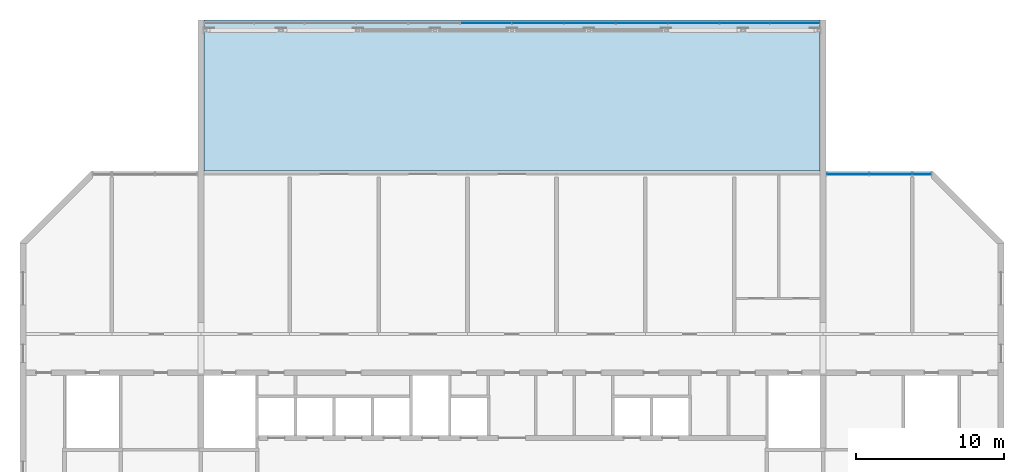
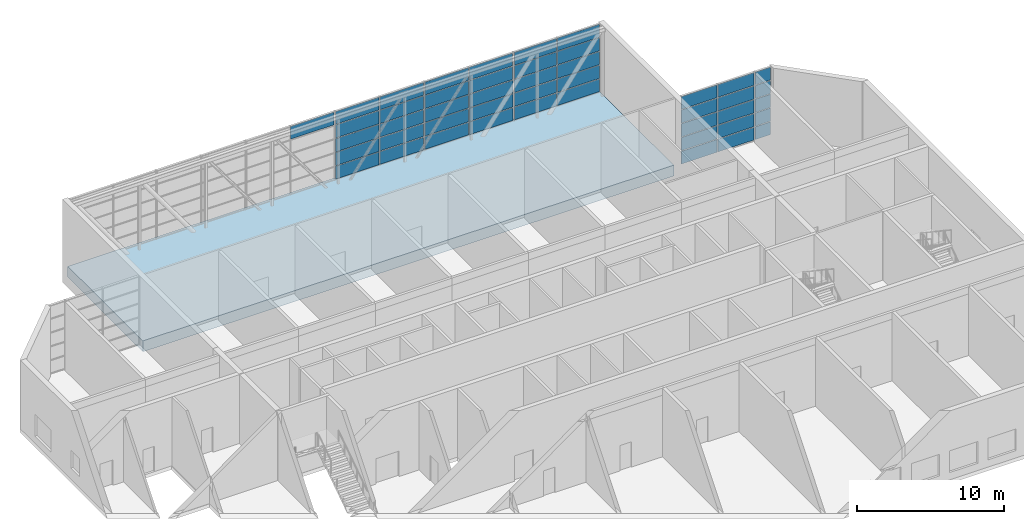
# One storey, part 7 of 17: 46 plates, 1 slab, 6 elements without a shape of their own.
"""IFC4 building model written with IfcOpenShell, lengths in metres."""

from ifc_helpers import new_model, si_unit, direction, frame, origin, origin_2d, place, context, subcontext, project, spatial, polyline, rectangle, outline, extrude, source, transform, mapped, material, layer, layer_set, type_object, element, aggregate, save


model = new_model("IFC4")

# Units and contexts
model_context = context("Model", 3, precision=1e-05, world=origin(), true_north=direction((0.0, 1.0)))
body_context = subcontext(model_context, "Body", "Model", "MODEL_VIEW")
ifc_project = project(units=[si_unit("LENGTHUNIT", "METRE"), si_unit("AREAUNIT", "SQUARE_METRE"), si_unit("VOLUMEUNIT", "CUBIC_METRE"), si_unit("PLANEANGLEUNIT", "RADIAN"), si_unit("MASSUNIT", "GRAM", prefix="KILO")], contexts=[model_context])

# Site, building, storey
site_placement = place(None, origin())
site = spatial("IfcSite", under=ifc_project, at=site_placement, CompositionType="ELEMENT")
building_placement = place(site_placement, origin())
building = spatial("IfcBuilding", under=site, at=building_placement, Name="Poui Terraces", CompositionType="ELEMENT")
storey_placement = place(building_placement, frame((0.0, 0.0, 261.0)))
storey = spatial("IfcBuildingStorey", under=building, at=storey_placement, Name="L73", CompositionType="ELEMENT", Elevation=261.0)

# Curtain wall, plates
ifc_material_1 = material(Name="Clear glass", Category="glass")
ifc_layer_1 = layer(ifc_material_1, 0.219970703125)
ifc_layer_set_1 = layer_set([ifc_layer_1], Name="Clear glass")
curtain_wall_type = type_object("IfcCurtainWallType", Name="CURTAIN WALL CW-E SKY LOUNGE GLAZING", PredefinedType="NOTDEFINED", material=ifc_layer_set_1)
curtain_wall_1_placement = place(storey_placement, origin())
curtain_wall_1 = element("IfcCurtainWall", 1, at=curtain_wall_1_placement, inside=storey, type_object=curtain_wall_type, Name="CW-E SKY LOUNGE GLAZING", PredefinedType="NOTDEFINED")
ifc_layer_2 = layer(ifc_material_1, 0.035888671875)
ifc_layer_set_2 = layer_set([ifc_layer_2], Name="Clear glass")
plate_type_1 = type_object("IfcPlateType", Name="CW-E GLASS PANEL 36", PredefinedType="CURTAIN_PANEL", material=ifc_layer_set_2)
plate_1_placement = place(storey_placement, frame((76.534912109375, 41.199951171875, 0.06005859375), z_axis=(0.0, 0.0, 1.0), x_axis=(-1.0, 0.0, 0.0)))
plate_1 = element("IfcPlate", 2, at=plate_1_placement, type_object=plate_type_1, Name="CW-E panel 1.1", PredefinedType="CURTAIN_PANEL", context=body_context, shape_type="SweptSolid", body=[
    extrude(rectangle(XDim=2.81005859375, YDim=0.035888671875, at=origin_2d()), origin(), (0.0, 0.0, 1.0), 1.050048828125),
])
plate_2_placement = place(storey_placement, frame((76.534912109375, 41.199951171875, 1.169921875), z_axis=(0.0, 0.0, 1.0), x_axis=(-1.0, 0.0, 0.0)))
plate_2 = element("IfcPlate", 3, at=plate_2_placement, type_object=plate_type_1, Name="CW-E panel 1.2", PredefinedType="CURTAIN_PANEL", context=body_context, shape_type="SweptSolid", body=[
    extrude(rectangle(XDim=2.81005859375, YDim=0.035888671875, at=origin_2d()), origin(), (0.0, 0.0, 1.0), 1.080078125),
])
plate_3_placement = place(storey_placement, frame((76.534912109375, 41.199951171875, 2.31005859375), z_axis=(0.0, 0.0, 1.0), x_axis=(-1.0, 0.0, 0.0)))
plate_3 = element("IfcPlate", 4, at=plate_3_placement, type_object=plate_type_1, Name="CW-E panel 1.3", PredefinedType="CURTAIN_PANEL", context=body_context, shape_type="SweptSolid", body=[
    extrude(rectangle(XDim=2.81005859375, YDim=0.035888671875, at=origin_2d()), origin(), (0.0, 0.0, 1.0), 1.080078125),
])
plate_4_placement = place(storey_placement, frame((76.534912109375, 41.199951171875, 3.449951171875), z_axis=(0.0, 0.0, 1.0), x_axis=(-1.0, 0.0, 0.0)))
plate_4 = element("IfcPlate", 5, at=plate_4_placement, type_object=plate_type_1, Name="CW-E panel 1.4", PredefinedType="CURTAIN_PANEL", context=body_context, shape_type="SweptSolid", body=[
    extrude(rectangle(XDim=2.81005859375, YDim=0.035888671875, at=origin_2d()), origin(), (0.0, 0.0, 1.0), 1.080078125),
])
plate_5_placement = place(storey_placement, frame((76.534912109375, 41.199951171875, 4.58984375), z_axis=(0.0, 0.0, 1.0), x_axis=(-1.0, 0.0, 0.0)))
plate_5 = element("IfcPlate", 6, at=plate_5_placement, type_object=plate_type_1, Name="CW-E panel 1.5", PredefinedType="CURTAIN_PANEL", context=body_context, shape_type="SweptSolid", body=[
    extrude(rectangle(XDim=2.81005859375, YDim=0.035888671875, at=origin_2d()), origin(), (0.0, 0.0, 1.0), 1.050048828125),
])
plate_6_placement = place(storey_placement, frame((73.6650390625, 41.199951171875, 0.06005859375), z_axis=(0.0, 0.0, 1.0), x_axis=(-1.0, 0.0, 0.0)))
plate_6 = element("IfcPlate", 7, at=plate_6_placement, type_object=plate_type_1, Name="CW-E panel 2.1", PredefinedType="CURTAIN_PANEL", context=body_context, shape_type="SweptSolid", body=[
    extrude(rectangle(XDim=2.81005859375, YDim=0.035888671875, at=origin_2d()), origin(), (0.0, 0.0, 1.0), 1.050048828125),
])
plate_7_placement = place(storey_placement, frame((73.6650390625, 41.199951171875, 1.169921875), z_axis=(0.0, 0.0, 1.0), x_axis=(-1.0, 0.0, 0.0)))
plate_7 = element("IfcPlate", 8, at=plate_7_placement, type_object=plate_type_1, Name="CW-E panel 2.2", PredefinedType="CURTAIN_PANEL", context=body_context, shape_type="SweptSolid", body=[
    extrude(rectangle(XDim=2.81005859375, YDim=0.035888671875, at=origin_2d()), origin(), (0.0, 0.0, 1.0), 1.080078125),
])
plate_8_placement = place(storey_placement, frame((73.6650390625, 41.199951171875, 2.31005859375), z_axis=(0.0, 0.0, 1.0), x_axis=(-1.0, 0.0, 0.0)))
plate_8 = element("IfcPlate", 9, at=plate_8_placement, type_object=plate_type_1, Name="CW-E panel 2.3", PredefinedType="CURTAIN_PANEL", context=body_context, shape_type="SweptSolid", body=[
    extrude(rectangle(XDim=2.81005859375, YDim=0.035888671875, at=origin_2d()), origin(), (0.0, 0.0, 1.0), 1.080078125),
])
plate_9_placement = place(storey_placement, frame((73.6650390625, 41.199951171875, 3.449951171875), z_axis=(0.0, 0.0, 1.0), x_axis=(-1.0, 0.0, 0.0)))
plate_9 = element("IfcPlate", 10, at=plate_9_placement, type_object=plate_type_1, Name="CW-E panel 2.4", PredefinedType="CURTAIN_PANEL", context=body_context, shape_type="SweptSolid", body=[
    extrude(rectangle(XDim=2.81005859375, YDim=0.035888671875, at=origin_2d()), origin(), (0.0, 0.0, 1.0), 1.080078125),
])
plate_10_placement = place(storey_placement, frame((73.6650390625, 41.199951171875, 4.58984375), z_axis=(0.0, 0.0, 1.0), x_axis=(-1.0, 0.0, 0.0)))
plate_10 = element("IfcPlate", 11, at=plate_10_placement, type_object=plate_type_1, Name="CW-E panel 2.5", PredefinedType="CURTAIN_PANEL", context=body_context, shape_type="SweptSolid", body=[
    extrude(rectangle(XDim=2.81005859375, YDim=0.035888671875, at=origin_2d()), origin(), (0.0, 0.0, 1.0), 1.050048828125),
])
aggregate(curtain_wall_1, [plate_1, plate_2, plate_3, plate_4, plate_5, plate_6, plate_7, plate_8, plate_9, plate_10])

curtain_wall_2_placement = place(storey_placement, origin())
curtain_wall_2 = element("IfcCurtainWall", 12, at=curtain_wall_2_placement, inside=storey, type_object=curtain_wall_type, Name="CW-E SKY LOUNGE GLAZING", PredefinedType="NOTDEFINED")
plate_11_placement = place(storey_placement, frame((78.65869140625, 41.199951171875, 0.06005859375), z_axis=(0.0, 0.0, 1.0), x_axis=(-1.0, 0.0, 0.0)))
plate_11 = element("IfcPlate", 13, at=plate_11_placement, type_object=plate_type_1, Name="CW-E panel 1.1", PredefinedType="CURTAIN_PANEL", context=body_context, shape_type="SweptSolid", body=[
    extrude(rectangle(XDim=1.197265625, YDim=0.035888671875, at=origin_2d()), origin(), (0.0, 0.0, 1.0), 1.050048828125),
])
plate_12_placement = place(storey_placement, frame((78.65869140625, 41.199951171875, 1.169921875), z_axis=(0.0, 0.0, 1.0), x_axis=(-1.0, 0.0, 0.0)))
plate_12 = element("IfcPlate", 14, at=plate_12_placement, type_object=plate_type_1, Name="CW-E panel 1.2", PredefinedType="CURTAIN_PANEL", context=body_context, shape_type="SweptSolid", body=[
    extrude(rectangle(XDim=1.197265625, YDim=0.035888671875, at=origin_2d()), origin(), (0.0, 0.0, 1.0), 1.080078125),
])
plate_13_placement = place(storey_placement, frame((78.65869140625, 41.199951171875, 2.31005859375), z_axis=(0.0, 0.0, 1.0), x_axis=(-1.0, 0.0, 0.0)))
plate_13 = element("IfcPlate", 15, at=plate_13_placement, type_object=plate_type_1, Name="CW-E panel 1.3", PredefinedType="CURTAIN_PANEL", context=body_context, shape_type="SweptSolid", body=[
    extrude(rectangle(XDim=1.197265625, YDim=0.035888671875, at=origin_2d()), origin(), (0.0, 0.0, 1.0), 1.080078125),
])
plate_14_placement = place(storey_placement, frame((78.65869140625, 41.199951171875, 3.449951171875), z_axis=(0.0, 0.0, 1.0), x_axis=(-1.0, 0.0, 0.0)))
plate_14 = element("IfcPlate", 16, at=plate_14_placement, type_object=plate_type_1, Name="CW-E panel 1.4", PredefinedType="CURTAIN_PANEL", context=body_context, shape_type="SweptSolid", body=[
    extrude(rectangle(XDim=1.197265625, YDim=0.035888671875, at=origin_2d()), origin(), (0.0, 0.0, 1.0), 1.080078125),
])
plate_15_placement = place(storey_placement, frame((78.65869140625, 41.199951171875, 4.58984375), z_axis=(0.0, 0.0, 1.0), x_axis=(-1.0, 0.0, 0.0)))
plate_15 = element("IfcPlate", 17, at=plate_15_placement, type_object=plate_type_1, Name="CW-E panel 1.5", PredefinedType="CURTAIN_PANEL", context=body_context, shape_type="SweptSolid", body=[
    extrude(rectangle(XDim=1.197265625, YDim=0.035888671875, at=origin_2d()), origin(), (0.0, 0.0, 1.0), 1.050048828125),
])
aggregate(curtain_wall_2, [plate_11, plate_12, plate_13, plate_14, plate_15])

# Curtain wall, plate
curtain_wall_3_placement = place(storey_placement, origin())
curtain_wall_3 = element("IfcCurtainWall", 18, at=curtain_wall_3_placement, inside=storey, type_object=curtain_wall_type, Name="CW-E SKY LOUNGE GLAZING", PredefinedType="NOTDEFINED")
plate_16_placement = place(storey_placement, frame((49.235107421875, 51.39990234375, 4.58984375), z_axis=(0.0, 0.0, 1.0), x_axis=(1.0, 0.0, 0.0)))
plate_16 = element("IfcPlate", 19, at=plate_16_placement, type_object=plate_type_1, Name="CW-E panel 2.5", PredefinedType="CURTAIN_PANEL", context=body_context, shape_type="SweptSolid", body=[
    extrude(rectangle(XDim=3.409912109375, YDim=0.035888671875, at=origin_2d()), origin(), (0.0, 0.0, 1.0), 1.050048828125),
])
aggregate(curtain_wall_3, [plate_16])

# Curtain wall, plates
curtain_wall_4_placement = place(storey_placement, origin())
curtain_wall_4 = element("IfcCurtainWall", 20, at=curtain_wall_4_placement, inside=storey, type_object=curtain_wall_type, Name="CW-E SKY LOUNGE GLAZING", PredefinedType="NOTDEFINED")
plate_17_placement = place(storey_placement, frame((52.764892578125, 51.39990234375, 3.449951171875), z_axis=(0.0, 0.0, 1.0), x_axis=(1.0, 0.0, 0.0)))
plate_17 = element("IfcPlate", 21, at=plate_17_placement, type_object=plate_type_1, Name="CW-E panel 1.4", PredefinedType="CURTAIN_PANEL", context=body_context, shape_type="SweptSolid", body=[
    extrude(rectangle(XDim=3.409912109375, YDim=0.035888671875, at=origin_2d()), origin(), (0.0, 0.0, 1.0), 1.080078125),
])
plate_18_placement = place(storey_placement, frame((52.764892578125, 51.39990234375, 4.58984375), z_axis=(0.0, 0.0, 1.0), x_axis=(1.0, 0.0, 0.0)))
plate_18 = element("IfcPlate", 22, at=plate_18_placement, type_object=plate_type_1, Name="CW-E panel 1.5", PredefinedType="CURTAIN_PANEL", context=body_context, shape_type="SweptSolid", body=[
    extrude(rectangle(XDim=3.409912109375, YDim=0.035888671875, at=origin_2d()), origin(), (0.0, 0.0, 1.0), 1.050048828125),
])
plate_19_placement = place(storey_placement, frame((56.235107421875, 51.39990234375, 1.169921875), z_axis=(0.0, 0.0, 1.0), x_axis=(1.0, 0.0, 0.0)))
plate_19 = element("IfcPlate", 23, at=plate_19_placement, type_object=plate_type_1, Name="CW-E panel 2.2", PredefinedType="CURTAIN_PANEL", context=body_context, shape_type="SweptSolid", body=[
    extrude(rectangle(XDim=3.409912109375, YDim=0.035888671875, at=origin_2d()), origin(), (0.0, 0.0, 1.0), 1.080078125),
])
plate_20_placement = place(storey_placement, frame((56.235107421875, 51.39990234375, 2.31005859375), z_axis=(0.0, 0.0, 1.0), x_axis=(1.0, 0.0, 0.0)))
plate_20 = element("IfcPlate", 24, at=plate_20_placement, type_object=plate_type_1, Name="CW-E panel 2.3", PredefinedType="CURTAIN_PANEL", context=body_context, shape_type="SweptSolid", body=[
    extrude(rectangle(XDim=3.409912109375, YDim=0.035888671875, at=origin_2d()), origin(), (0.0, 0.0, 1.0), 1.080078125),
])

curtain_wall_5_placement = place(storey_placement, origin())
curtain_wall_5 = element("IfcCurtainWall", 25, at=curtain_wall_5_placement, inside=storey, type_object=curtain_wall_type, Name="CW-E SKY LOUNGE GLAZING", PredefinedType="NOTDEFINED")
plate_21_placement = place(storey_placement, frame((59.764892578125, 51.39990234375, 0.06005859375), z_axis=(0.0, 0.0, 1.0), x_axis=(1.0, 0.0, 0.0)))
plate_21 = element("IfcPlate", 26, at=plate_21_placement, type_object=plate_type_1, Name="CW-E panel 1.1", PredefinedType="CURTAIN_PANEL", context=body_context, shape_type="SweptSolid", body=[
    extrude(rectangle(XDim=3.409912109375, YDim=0.035888671875, at=origin_2d()), origin(), (0.0, 0.0, 1.0), 1.050048828125),
])
plate_22_placement = place(storey_placement, frame((63.235107421875, 51.39990234375, 3.449951171875), z_axis=(0.0, 0.0, 1.0), x_axis=(1.0, 0.0, 0.0)))
plate_22 = element("IfcPlate", 27, at=plate_22_placement, type_object=plate_type_1, Name="CW-E panel 2.4", PredefinedType="CURTAIN_PANEL", context=body_context, shape_type="SweptSolid", body=[
    extrude(rectangle(XDim=3.409912109375, YDim=0.035888671875, at=origin_2d()), origin(), (0.0, 0.0, 1.0), 1.080078125),
])
plate_23_placement = place(storey_placement, frame((63.235107421875, 51.39990234375, 4.58984375), z_axis=(0.0, 0.0, 1.0), x_axis=(1.0, 0.0, 0.0)))
plate_23 = element("IfcPlate", 28, at=plate_23_placement, type_object=plate_type_1, Name="CW-E panel 2.5", PredefinedType="CURTAIN_PANEL", context=body_context, shape_type="SweptSolid", body=[
    extrude(rectangle(XDim=3.409912109375, YDim=0.035888671875, at=origin_2d()), origin(), (0.0, 0.0, 1.0), 1.050048828125),
])

curtain_wall_6_placement = place(storey_placement, origin())
curtain_wall_6 = element("IfcCurtainWall", 29, at=curtain_wall_6_placement, inside=storey, type_object=curtain_wall_type, Name="CW-E SKY LOUNGE GLAZING", PredefinedType="NOTDEFINED")
plate_24_placement = place(storey_placement, frame((66.715087890625, 51.39990234375, 1.169921875), z_axis=(0.0, 0.0, 1.0), x_axis=(1.0, 0.0, 0.0)))
plate_24 = element("IfcPlate", 30, at=plate_24_placement, type_object=plate_type_1, Name="CW-E panel 1.2", PredefinedType="CURTAIN_PANEL", context=body_context, shape_type="SweptSolid", body=[
    extrude(rectangle(XDim=3.31005859375, YDim=0.035888671875, at=origin_2d()), origin(), (0.0, 0.0, 1.0), 1.080078125),
])
plate_25_placement = place(storey_placement, frame((66.715087890625, 51.39990234375, 2.31005859375), z_axis=(0.0, 0.0, 1.0), x_axis=(1.0, 0.0, 0.0)))
plate_25 = element("IfcPlate", 31, at=plate_25_placement, type_object=plate_type_1, Name="CW-E panel 1.3", PredefinedType="CURTAIN_PANEL", context=body_context, shape_type="SweptSolid", body=[
    extrude(rectangle(XDim=3.31005859375, YDim=0.035888671875, at=origin_2d()), origin(), (0.0, 0.0, 1.0), 1.080078125),
])
plate_26_placement = place(storey_placement, frame((70.0849609375, 51.39990234375, 0.06005859375), z_axis=(0.0, 0.0, 1.0), x_axis=(1.0, 0.0, 0.0)))
plate_26 = element("IfcPlate", 32, at=plate_26_placement, type_object=plate_type_1, Name="CW-E panel 2.1", PredefinedType="CURTAIN_PANEL", context=body_context, shape_type="SweptSolid", body=[
    extrude(rectangle(XDim=3.31005859375, YDim=0.035888671875, at=origin_2d()), origin(), (0.0, 0.0, 1.0), 1.050048828125),
])

# Plate
ifc_material_2 = material(Name="Insulated aluminium panel", Category="aluminium")
ifc_layer_3 = layer(ifc_material_2, 0.06005859375)
ifc_layer_set_3 = layer_set([ifc_layer_3], Name="Insulated aluminium panel")
plate_type_2 = type_object("IfcPlateType", Name="CW-E INSULATED PANEL 60", PredefinedType="CURTAIN_PANEL", material=ifc_layer_set_3)
plate_27_placement = place(storey_placement, frame((52.764892578125, 51.39990234375, 0.06005859375), z_axis=(0.0, 0.0, 1.0), x_axis=(1.0, 0.0, 0.0)))
plate_27 = element("IfcPlate", 33, at=plate_27_placement, type_object=plate_type_2, Name="CW-E insulated panel 1.1", PredefinedType="CURTAIN_PANEL", context=body_context, shape_type="SweptSolid", body=[
    extrude(rectangle(XDim=3.409912109375, YDim=0.06005859375, at=origin_2d()), origin(), (0.0, 0.0, 1.0), 1.050048828125),
])

plate_28_placement = place(storey_placement, frame((52.764892578125, 51.39990234375, 1.169921875), z_axis=(0.0, 0.0, 1.0), x_axis=(1.0, 0.0, 0.0)))
plate_28 = element("IfcPlate", 34, at=plate_28_placement, type_object=plate_type_2, Name="CW-E insulated panel 1.2", PredefinedType="CURTAIN_PANEL", context=body_context, shape_type="SweptSolid", body=[
    extrude(rectangle(XDim=3.409912109375, YDim=0.06005859375, at=origin_2d()), origin(), (0.0, 0.0, 1.0), 1.080078125),
])

plate_29_placement = place(storey_placement, frame((52.764892578125, 51.39990234375, 2.31005859375), z_axis=(0.0, 0.0, 1.0), x_axis=(1.0, 0.0, 0.0)))
plate_29 = element("IfcPlate", 35, at=plate_29_placement, type_object=plate_type_2, Name="CW-E insulated panel 1.3", PredefinedType="CURTAIN_PANEL", context=body_context, shape_type="SweptSolid", body=[
    extrude(rectangle(XDim=3.409912109375, YDim=0.06005859375, at=origin_2d()), origin(), (0.0, 0.0, 1.0), 1.080078125),
])

plate_30_placement = place(storey_placement, frame((56.235107421875, 51.39990234375, 0.06005859375), z_axis=(0.0, 0.0, 1.0), x_axis=(1.0, 0.0, 0.0)))
plate_30 = element("IfcPlate", 36, at=plate_30_placement, type_object=plate_type_2, Name="CW-E insulated panel 2.1", PredefinedType="CURTAIN_PANEL", context=body_context, shape_type="SweptSolid", body=[
    extrude(rectangle(XDim=3.409912109375, YDim=0.06005859375, at=origin_2d()), origin(), (0.0, 0.0, 1.0), 1.050048828125),
])

plate_31_placement = place(storey_placement, frame((56.235107421875, 51.39990234375, 3.449951171875), z_axis=(0.0, 0.0, 1.0), x_axis=(1.0, 0.0, 0.0)))
plate_31 = element("IfcPlate", 37, at=plate_31_placement, type_object=plate_type_2, Name="CW-E insulated panel 2.4", PredefinedType="CURTAIN_PANEL", context=body_context, shape_type="SweptSolid", body=[
    extrude(rectangle(XDim=3.409912109375, YDim=0.06005859375, at=origin_2d()), origin(), (0.0, 0.0, 1.0), 1.080078125),
])

plate_32_placement = place(storey_placement, frame((56.235107421875, 51.39990234375, 4.58984375), z_axis=(0.0, 0.0, 1.0), x_axis=(1.0, 0.0, 0.0)))
plate_32 = element("IfcPlate", 38, at=plate_32_placement, type_object=plate_type_2, Name="CW-E insulated panel 2.5", PredefinedType="CURTAIN_PANEL", context=body_context, shape_type="SweptSolid", body=[
    extrude(rectangle(XDim=3.409912109375, YDim=0.06005859375, at=origin_2d()), origin(), (0.0, 0.0, 1.0), 1.050048828125),
])

aggregate(curtain_wall_4, [plate_27, plate_28, plate_29, plate_17, plate_18, plate_30, plate_19, plate_20, plate_31, plate_32])

plate_33_placement = place(storey_placement, frame((59.764892578125, 51.39990234375, 1.169921875), z_axis=(0.0, 0.0, 1.0), x_axis=(1.0, 0.0, 0.0)))
plate_33 = element("IfcPlate", 39, at=plate_33_placement, type_object=plate_type_2, Name="CW-E insulated panel 1.2", PredefinedType="CURTAIN_PANEL", context=body_context, shape_type="SweptSolid", body=[
    extrude(rectangle(XDim=3.409912109375, YDim=0.06005859375, at=origin_2d()), origin(), (0.0, 0.0, 1.0), 1.080078125),
])

plate_34_placement = place(storey_placement, frame((59.764892578125, 51.39990234375, 2.31005859375), z_axis=(0.0, 0.0, 1.0), x_axis=(1.0, 0.0, 0.0)))
plate_34 = element("IfcPlate", 40, at=plate_34_placement, type_object=plate_type_2, Name="CW-E insulated panel 1.3", PredefinedType="CURTAIN_PANEL", context=body_context, shape_type="SweptSolid", body=[
    extrude(rectangle(XDim=3.409912109375, YDim=0.06005859375, at=origin_2d()), origin(), (0.0, 0.0, 1.0), 1.080078125),
])

plate_35_placement = place(storey_placement, frame((59.764892578125, 51.39990234375, 3.449951171875), z_axis=(0.0, 0.0, 1.0), x_axis=(1.0, 0.0, 0.0)))
plate_35 = element("IfcPlate", 41, at=plate_35_placement, type_object=plate_type_2, Name="CW-E insulated panel 1.4", PredefinedType="CURTAIN_PANEL", context=body_context, shape_type="SweptSolid", body=[
    extrude(rectangle(XDim=3.409912109375, YDim=0.06005859375, at=origin_2d()), origin(), (0.0, 0.0, 1.0), 1.080078125),
])

plate_36_placement = place(storey_placement, frame((59.764892578125, 51.39990234375, 4.58984375), z_axis=(0.0, 0.0, 1.0), x_axis=(1.0, 0.0, 0.0)))
plate_36 = element("IfcPlate", 42, at=plate_36_placement, type_object=plate_type_2, Name="CW-E insulated panel 1.5", PredefinedType="CURTAIN_PANEL", context=body_context, shape_type="SweptSolid", body=[
    extrude(rectangle(XDim=3.409912109375, YDim=0.06005859375, at=origin_2d()), origin(), (0.0, 0.0, 1.0), 1.050048828125),
])

plate_37_placement = place(storey_placement, frame((63.235107421875, 51.39990234375, 0.06005859375), z_axis=(0.0, 0.0, 1.0), x_axis=(1.0, 0.0, 0.0)))
plate_37 = element("IfcPlate", 43, at=plate_37_placement, type_object=plate_type_2, Name="CW-E insulated panel 2.1", PredefinedType="CURTAIN_PANEL", context=body_context, shape_type="SweptSolid", body=[
    extrude(rectangle(XDim=3.409912109375, YDim=0.06005859375, at=origin_2d()), origin(), (0.0, 0.0, 1.0), 1.050048828125),
])

plate_38_placement = place(storey_placement, frame((63.235107421875, 51.39990234375, 1.169921875), z_axis=(0.0, 0.0, 1.0), x_axis=(1.0, 0.0, 0.0)))
plate_38 = element("IfcPlate", 44, at=plate_38_placement, type_object=plate_type_2, Name="CW-E insulated panel 2.2", PredefinedType="CURTAIN_PANEL", context=body_context, shape_type="SweptSolid", body=[
    extrude(rectangle(XDim=3.409912109375, YDim=0.06005859375, at=origin_2d()), origin(), (0.0, 0.0, 1.0), 1.080078125),
])

plate_39_placement = place(storey_placement, frame((63.235107421875, 51.39990234375, 2.31005859375), z_axis=(0.0, 0.0, 1.0), x_axis=(1.0, 0.0, 0.0)))
plate_39 = element("IfcPlate", 45, at=plate_39_placement, type_object=plate_type_2, Name="CW-E insulated panel 2.3", PredefinedType="CURTAIN_PANEL", context=body_context, shape_type="SweptSolid", body=[
    extrude(rectangle(XDim=3.409912109375, YDim=0.06005859375, at=origin_2d()), origin(), (0.0, 0.0, 1.0), 1.080078125),
])

aggregate(curtain_wall_5, [plate_21, plate_33, plate_34, plate_35, plate_36, plate_37, plate_38, plate_39, plate_22, plate_23])

plate_40_placement = place(storey_placement, frame((66.715087890625, 51.39990234375, 0.06005859375), z_axis=(0.0, 0.0, 1.0), x_axis=(1.0, 0.0, 0.0)))
plate_40 = element("IfcPlate", 46, at=plate_40_placement, type_object=plate_type_2, Name="CW-E insulated panel 1.1", PredefinedType="CURTAIN_PANEL", context=body_context, shape_type="SweptSolid", body=[
    extrude(rectangle(XDim=3.31005859375, YDim=0.06005859375, at=origin_2d()), origin(), (0.0, 0.0, 1.0), 1.050048828125),
])

plate_41_placement = place(storey_placement, frame((66.715087890625, 51.39990234375, 3.449951171875), z_axis=(0.0, 0.0, 1.0), x_axis=(1.0, 0.0, 0.0)))
plate_41 = element("IfcPlate", 47, at=plate_41_placement, type_object=plate_type_2, Name="CW-E insulated panel 1.4", PredefinedType="CURTAIN_PANEL", context=body_context, shape_type="SweptSolid", body=[
    extrude(rectangle(XDim=3.31005859375, YDim=0.06005859375, at=origin_2d()), origin(), (0.0, 0.0, 1.0), 1.080078125),
])

plate_42_placement = place(storey_placement, frame((66.715087890625, 51.39990234375, 4.58984375), z_axis=(0.0, 0.0, 1.0), x_axis=(1.0, 0.0, 0.0)))
plate_42 = element("IfcPlate", 48, at=plate_42_placement, type_object=plate_type_2, Name="CW-E insulated panel 1.5", PredefinedType="CURTAIN_PANEL", context=body_context, shape_type="SweptSolid", body=[
    extrude(rectangle(XDim=3.31005859375, YDim=0.06005859375, at=origin_2d()), origin(), (0.0, 0.0, 1.0), 1.050048828125),
])

plate_43_placement = place(storey_placement, frame((70.0849609375, 51.39990234375, 1.169921875), z_axis=(0.0, 0.0, 1.0), x_axis=(1.0, 0.0, 0.0)))
plate_43 = element("IfcPlate", 49, at=plate_43_placement, type_object=plate_type_2, Name="CW-E insulated panel 2.2", PredefinedType="CURTAIN_PANEL", context=body_context, shape_type="SweptSolid", body=[
    extrude(rectangle(XDim=3.31005859375, YDim=0.06005859375, at=origin_2d()), origin(), (0.0, 0.0, 1.0), 1.080078125),
])

plate_44_placement = place(storey_placement, frame((70.0849609375, 51.39990234375, 2.31005859375), z_axis=(0.0, 0.0, 1.0), x_axis=(1.0, 0.0, 0.0)))
plate_44 = element("IfcPlate", 50, at=plate_44_placement, type_object=plate_type_2, Name="CW-E insulated panel 2.3", PredefinedType="CURTAIN_PANEL", context=body_context, shape_type="SweptSolid", body=[
    extrude(rectangle(XDim=3.31005859375, YDim=0.06005859375, at=origin_2d()), origin(), (0.0, 0.0, 1.0), 1.080078125),
])

plate_45_placement = place(storey_placement, frame((70.0849609375, 51.39990234375, 3.449951171875), z_axis=(0.0, 0.0, 1.0), x_axis=(1.0, 0.0, 0.0)))
plate_45 = element("IfcPlate", 51, at=plate_45_placement, type_object=plate_type_2, Name="CW-E insulated panel 2.4", PredefinedType="CURTAIN_PANEL", context=body_context, shape_type="SweptSolid", body=[
    extrude(rectangle(XDim=3.31005859375, YDim=0.06005859375, at=origin_2d()), origin(), (0.0, 0.0, 1.0), 1.080078125),
])

plate_46_placement = place(storey_placement, frame((70.0849609375, 51.39990234375, 4.58984375), z_axis=(0.0, 0.0, 1.0), x_axis=(1.0, 0.0, 0.0)))
plate_46 = element("IfcPlate", 52, at=plate_46_placement, type_object=plate_type_2, Name="CW-E insulated panel 2.5", PredefinedType="CURTAIN_PANEL", context=body_context, shape_type="SweptSolid", body=[
    extrude(rectangle(XDim=3.31005859375, YDim=0.06005859375, at=origin_2d()), origin(), (0.0, 0.0, 1.0), 1.050048828125),
])

aggregate(curtain_wall_6, [plate_40, plate_24, plate_25, plate_41, plate_42, plate_26, plate_43, plate_44, plate_45, plate_46])

# Slab
ifc_material_3 = material(Name="Concrete 40 MPa", Category="concrete")
ifc_layer_4 = layer(ifc_material_3, 0.89990234375)
ifc_layer_set_4 = layer_set([ifc_layer_4], Name="Concrete 40 MPa")
slab_type = type_object("IfcSlabType", Name="LOUNGE FLOOR SLAB 900", PredefinedType="FLOOR", material=ifc_layer_set_4)
shared_shape = source(origin(), body_context, "Body", "SweptSolid", [
    extrude(outline(polyline([(0.0, 0.0), (0.0, 10.2001953125), (-41.60009765625, 10.2001953125), (-41.60009765625, 0.0), (0.0, 0.0)])), origin(), (0.0, 0.0, 1.0), 0.900146484375),
])
slab_placement = place(storey_placement, frame((71.800048828125, 41.39990234375, -0.900146484375)))
element("IfcSlab", 53, at=slab_placement, inside=storey, type_object=slab_type, Name="LOUNGE FLOOR SLAB", PredefinedType="FLOOR", context=body_context, shape_type="MappedRepresentation", body=[
    mapped(shared_shape, transform((0.0, 0.0, 0.0))),
])

save(model, "model.ifc")
